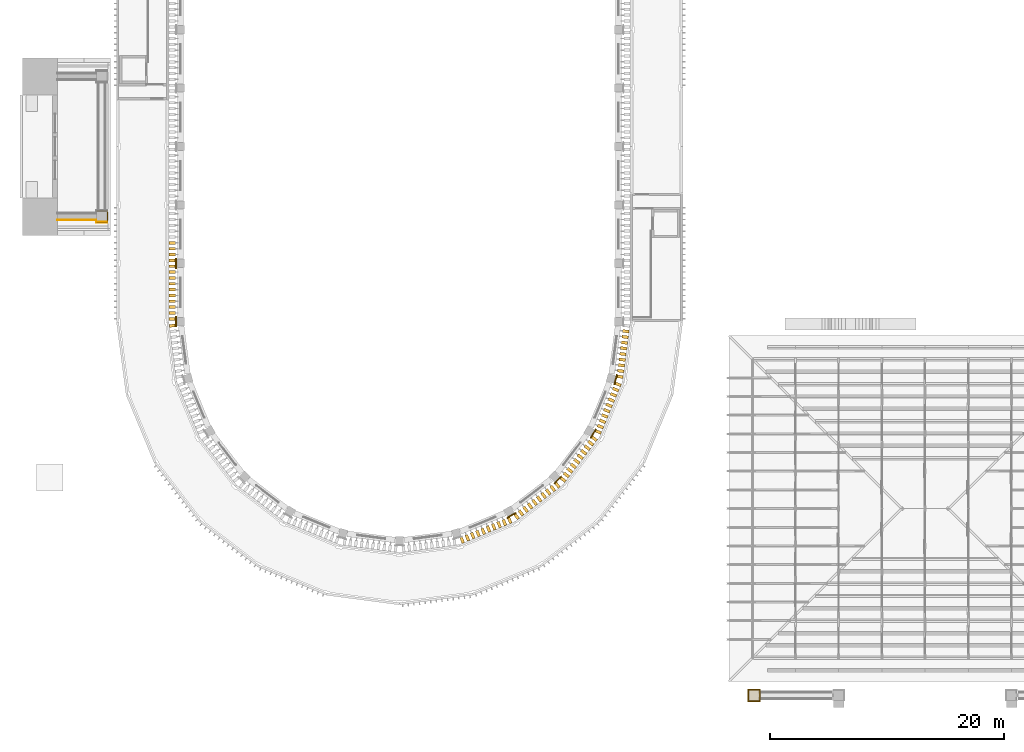
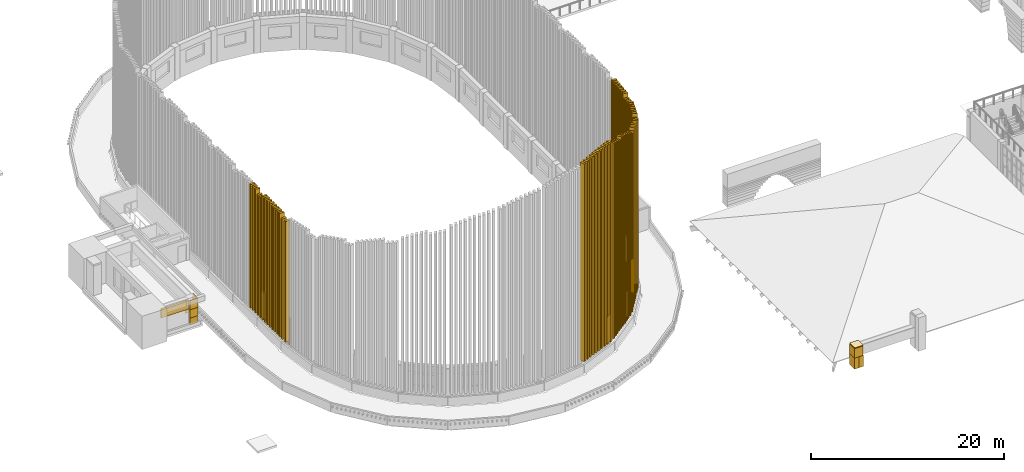
# One storey, part 53 of 68: 78 coverings.
"""IFC4 building model written with IfcOpenShell, lengths in metres."""

from ifc_helpers import new_model, si_unit, direction, frame, origin, origin_2d, place, context, subcontext, project, spatial, polyline, rectangle, outline, extrude, material, layer, layer_set, type_object, element, save


model = new_model("IFC4")

# Units and contexts
model_context = context("Model", 3, precision=1e-05, world=origin(), true_north=direction((0.0, 1.0)))
body_context = subcontext(model_context, "Body", "Model", "MODEL_VIEW")
ifc_project = project(units=[si_unit("LENGTHUNIT", "METRE"), si_unit("AREAUNIT", "SQUARE_METRE"), si_unit("VOLUMEUNIT", "CUBIC_METRE"), si_unit("PLANEANGLEUNIT", "RADIAN"), si_unit("MASSUNIT", "GRAM", prefix="KILO")], contexts=[model_context])

# Site, building, storey
site_placement = place(None, origin())
site = spatial("IfcSite", under=ifc_project, at=site_placement, CompositionType="ELEMENT")
building_placement = place(site_placement, origin())
building = spatial("IfcBuilding", under=site, at=building_placement, Name="Wasatch Bagh Community Centre", CompositionType="ELEMENT")
storey_placement = place(building_placement, frame((0.0, 0.0, 8.39990234375)))
storey = spatial("IfcBuildingStorey", under=building, at=storey_placement, Name="L02", CompositionType="ELEMENT", Elevation=8.39990234375)

# Coverings
ifc_material_1 = material(Name="Cast stone cladding", Category="masonry")
ifc_layer_1 = layer(ifc_material_1, 0.080078125)
ifc_layer_set_1 = layer_set([ifc_layer_1], Name="Cast stone cladding")
covering_type_1 = type_object("IfcCoveringType", Name="CL-B7 beam facing", PredefinedType="CLADDING", material=ifc_layer_set_1)
covering_1_placement = place(storey_placement, frame((0.0, 0.0, 2.150146484375)))
element("IfcCovering", 1, at=covering_1_placement, inside=storey, type_object=covering_type_1, Name="Beam facing", PredefinedType="CLADDING", context=body_context, shape_type="SweptSolid", body=[
    extrude(outline(polyline([(6.699951171875, 43.75), (10.050048828125, 43.75), (10.050048828125, 43.669921875), (6.699951171875, 43.669921875), (6.699951171875, 43.75)])), origin(), (0.0, 0.0, 1.0), 1.199951171875),
])
ifc_layer_2 = layer(ifc_material_1, 0.080078125)
ifc_layer_set_2 = layer_set([ifc_layer_2], Name="Cast stone cladding")
covering_type_2 = type_object("IfcCoveringType", Name="CL-C1 column facing", PredefinedType="CLADDING", material=ifc_layer_set_2)
covering_2_placement = place(storey_placement, origin())
element("IfcCovering", 2, at=covering_2_placement, inside=storey, type_object=covering_type_2, Name="Column facing", PredefinedType="CLADDING", context=body_context, shape_type="SweptSolid", body=[
    extrude(outline(polyline([(66.35009765625, 3.530029296875), (66.35009765625, 3.449951171875), (65.89990234375, 3.449951171875), (65.89990234375, 2.550048828125), (66.35009765625, 2.550048828125), (66.35009765625, 2.469970703125), (65.820068359375, 2.469970703125), (65.820068359375, 3.530029296875), (66.35009765625, 3.530029296875)])), origin(), (0.0, 0.0, 1.0), 1.400146484375),
])
covering_3_placement = place(storey_placement, origin())
element("IfcCovering", 3, at=covering_3_placement, inside=storey, type_object=covering_type_2, Name="Column facing", PredefinedType="CLADDING", context=body_context, shape_type="SweptSolid", body=[
    extrude(outline(polyline([(66.8798828125, 3.530029296875), (66.8798828125, 2.469970703125), (66.35009765625, 2.469970703125), (66.35009765625, 2.550048828125), (66.800048828125, 2.550048828125), (66.800048828125, 3.449951171875), (66.35009765625, 3.449951171875), (66.35009765625, 3.530029296875), (66.8798828125, 3.530029296875)])), origin(), (0.0, 0.0, 1.0), 1.400146484375),
])
covering_4_placement = place(storey_placement, frame((0.0, 0.0, 1.400146484375)))
element("IfcCovering", 4, at=covering_4_placement, inside=storey, type_object=covering_type_2, Name="Column facing", PredefinedType="CLADDING", context=body_context, shape_type="SweptSolid", body=[
    extrude(outline(polyline([(65.820068359375, 2.469970703125), (65.820068359375, 3.530029296875), (66.800048828125, 3.530029296875), (66.800048828125, 3.449951171875), (65.89990234375, 3.449951171875), (65.89990234375, 2.550048828125), (66.800048828125, 2.550048828125), (66.800048828125, 2.469970703125), (65.820068359375, 2.469970703125)])), origin(), (0.0, 0.0, 1.0), 1.199951171875),
])
covering_5_placement = place(storey_placement, frame((0.0, 0.0, 2.60009765625)))
element("IfcCovering", 5, at=covering_5_placement, inside=storey, type_object=covering_type_2, Name="Column facing", PredefinedType="CLADDING", context=body_context, shape_type="SweptSolid", body=[
    extrude(outline(polyline([(66.800048828125, 2.469970703125), (65.89990234375, 2.469970703125), (65.89990234375, 2.550048828125), (65.820068359375, 2.550048828125), (65.820068359375, 3.449951171875), (65.89990234375, 3.449951171875), (65.89990234375, 3.530029296875), (66.800048828125, 3.530029296875), (66.800048828125, 3.449951171875), (66.8798828125, 3.449951171875), (66.8798828125, 2.550048828125), (66.800048828125, 2.550048828125), (66.800048828125, 2.469970703125)])), origin(), (0.0, 0.0, 1.0), 0.080078125),
])
covering_6_placement = place(storey_placement, frame((0.0, 0.0, 0.25)))
element("IfcCovering", 6, at=covering_6_placement, inside=storey, type_object=covering_type_2, Name="Column facing", PredefinedType="CLADDING", context=body_context, shape_type="SweptSolid", body=[
    extrude(outline(polyline([(10.949951171875, 43.550048828125), (10.949951171875, 43.469970703125), (10.050048828125, 43.469970703125), (10.050048828125, 43.550048828125), (10.949951171875, 43.550048828125)])), origin(), (0.0, 0.0, 1.0), 0.85009765625),
])
covering_7_placement = place(storey_placement, frame((0.0, 0.0, 1.10009765625)))
element("IfcCovering", 7, at=covering_7_placement, inside=storey, type_object=covering_type_2, Name="Column facing", PredefinedType="CLADDING", context=body_context, shape_type="SweptSolid", body=[
    extrude(outline(polyline([(11.030029296875, 43.469970703125), (10.050048828125, 43.469970703125), (10.050048828125, 43.550048828125), (10.949951171875, 43.550048828125), (10.949951171875, 44.449951171875), (10.050048828125, 44.449951171875), (10.050048828125, 44.530029296875), (11.030029296875, 44.530029296875), (11.030029296875, 43.469970703125)])), origin(), (0.0, 0.0, 1.0), 1.050048828125),
])
covering_8_placement = place(storey_placement, frame((0.0, 0.0, 2.150146484375)))
element("IfcCovering", 8, at=covering_8_placement, inside=storey, type_object=covering_type_2, Name="Column facing", PredefinedType="CLADDING", context=body_context, shape_type="SweptSolid", body=[
    extrude(outline(polyline([(10.949951171875, 43.550048828125), (10.949951171875, 44.449951171875), (11.030029296875, 44.449951171875), (11.030029296875, 43.469970703125), (10.050048828125, 43.469970703125), (10.050048828125, 43.550048828125), (10.949951171875, 43.550048828125)])), origin(), (0.0, 0.0, 1.0), 1.199951171875),
])
ifc_material_2 = material(Name="White precast concrete C40/50", Category="concrete")
ifc_layer_3 = layer(ifc_material_2, 0.10009765625)
ifc_layer_set_3 = layer_set([ifc_layer_3], Name="White precast concrete C40/50")
covering_type_3 = type_object("IfcCoveringType", Name="MH column casing", PredefinedType="CLADDING", material=ifc_layer_set_3)
for number, where, z_axis, x_axis, name in (
    (9, (16.85009765625, 35.0, 0.800048828125), (0.0, 0.0, 1.0), (0.0, -1.0, 0.0), "Column casing W1 L02"),
    (10, (16.85009765625, 40.0, 0.800048828125), (0.0, 0.0, 1.0), (0.0, -1.0, 0.0), "Column casing W2 L02"),
    (11, (45.574951171875, 18.41552734375, 0.800048828125), (0.0, 0.0, 1.0), (0.866025403784, 0.5, 0.0), "Column casing S8 L02"),
    (12, (49.541015625, 21.458984375, 0.800048828125), (0.0, 0.0, 1.0), (0.707106781187, 0.707106781187, 0.0), "Column casing S9 L02"),
    (13, (52.58447265625, 25.425048828125, 0.800048828125), (0.0, 0.0, 1.0), (0.5, 0.866025403784, 0.0), "Column casing S10 L02"),
    (14, (54.49755859375, 30.043701171875, 0.800048828125), (0.0, 0.0, 1.0), (0.258819045103, 0.965925826289, 0.0), "Column casing S11 L02"),
):
    element("IfcCovering", number, at=place(storey_placement, frame(where, z_axis=z_axis, x_axis=x_axis)), inside=storey, type_object=covering_type_3, Name=name, PredefinedType="CLADDING", context=body_context, shape_type="SweptSolid", body=[
        extrude(rectangle(XDim=0.89990234375, YDim=0.10009765625, at=origin_2d()), origin(), (0.0, 0.0, 1.0), 3.39990234375),
    ])
ifc_layer_4 = layer(ifc_material_2, 0.25)
ifc_layer_set_4 = layer_set([ifc_layer_4], Name="White precast concrete C40/50")
covering_type_4 = type_object("IfcCoveringType", Name="MH vertical fin", PredefinedType="CLADDING", material=ifc_layer_set_4)
covering_9_placement = place(storey_placement, frame((16.563232421875, 34.662841796875, 1.300048828125), z_axis=(0.0, 0.0, 1.0), x_axis=(0.13052619222, -0.991444861374, 0.0)))
element("IfcCovering", 15, at=covering_9_placement, inside=storey, type_object=covering_type_4, Name="Fin 1.1", PredefinedType="CLADDING", context=body_context, shape_type="SweptSolid", body=[
    extrude(rectangle(XDim=0.25, YDim=0.550048828125, at=origin_2d()), origin(), (0.0, 0.0, 1.0), 15.23974609375),
])
covering_10_placement = place(storey_placement, frame((41.3564453125, 16.312744140625, 1.300048828125), z_axis=(0.0, 0.0, 1.0), x_axis=(0.923879532511, 0.382683432365, 0.0)))
element("IfcCovering", 16, at=covering_10_placement, inside=storey, type_object=covering_type_4, Name="Fin 8.1", PredefinedType="CLADDING", context=body_context, shape_type="SweptSolid", body=[
    extrude(rectangle(XDim=0.25, YDim=0.550048828125, at=origin_2d()), origin(), (0.0, 0.0, 1.0), 24.97802734375),
])
covering_11_placement = place(storey_placement, frame((41.80859375, 16.5, 1.300048828125), z_axis=(0.0, 0.0, 1.0), x_axis=(0.923879532511, 0.382683432365, 0.0)))
element("IfcCovering", 17, at=covering_11_placement, inside=storey, type_object=covering_type_4, Name="Fin 8.2", PredefinedType="CLADDING", context=body_context, shape_type="SweptSolid", body=[
    extrude(rectangle(XDim=0.25, YDim=0.550048828125, at=origin_2d()), origin(), (0.0, 0.0, 1.0), 25.01318359375),
])
covering_12_placement = place(storey_placement, frame((42.2607421875, 16.687255859375, 1.300048828125), z_axis=(0.0, 0.0, 1.0), x_axis=(0.923879532511, 0.382683432365, 0.0)))
element("IfcCovering", 18, at=covering_12_placement, inside=storey, type_object=covering_type_4, Name="Fin 8.3", PredefinedType="CLADDING", context=body_context, shape_type="SweptSolid", body=[
    extrude(rectangle(XDim=0.25, YDim=0.550048828125, at=origin_2d()), origin(), (0.0, 0.0, 1.0), 25.04833984375),
])
covering_13_placement = place(storey_placement, frame((42.713134765625, 16.874755859375, 1.300048828125), z_axis=(0.0, 0.0, 1.0), x_axis=(0.923879532511, 0.382683432365, 0.0)))
element("IfcCovering", 19, at=covering_13_placement, inside=storey, type_object=covering_type_4, Name="Fin 8.4", PredefinedType="CLADDING", context=body_context, shape_type="SweptSolid", body=[
    extrude(rectangle(XDim=0.25, YDim=0.550048828125, at=origin_2d()), origin(), (0.0, 0.0, 1.0), 25.08349609375),
])
covering_14_placement = place(storey_placement, frame((43.165283203125, 17.06201171875, 1.300048828125), z_axis=(0.0, 0.0, 1.0), x_axis=(0.923879532511, 0.382683432365, 0.0)))
element("IfcCovering", 20, at=covering_14_placement, inside=storey, type_object=covering_type_4, Name="Fin 8.5", PredefinedType="CLADDING", context=body_context, shape_type="SweptSolid", body=[
    extrude(rectangle(XDim=0.25, YDim=0.550048828125, at=origin_2d()), origin(), (0.0, 0.0, 1.0), 25.11865234375),
])
covering_15_placement = place(storey_placement, frame((43.617431640625, 17.249267578125, 1.30029296875), z_axis=(0.0, 0.0, 1.0), x_axis=(0.923879532511, 0.382683432365, 0.0)))
element("IfcCovering", 21, at=covering_15_placement, inside=storey, type_object=covering_type_4, Name="Fin 8.6", PredefinedType="CLADDING", context=body_context, shape_type="SweptSolid", body=[
    extrude(rectangle(XDim=0.25, YDim=0.550048828125, at=origin_2d()), origin(), (0.0, 0.0, 1.0), 25.153564453125),
])
covering_16_placement = place(storey_placement, frame((44.069580078125, 17.4365234375, 1.30029296875), z_axis=(0.0, 0.0, 1.0), x_axis=(0.923879532511, 0.382683432365, 0.0)))
element("IfcCovering", 22, at=covering_16_placement, inside=storey, type_object=covering_type_4, Name="Fin 8.7", PredefinedType="CLADDING", context=body_context, shape_type="SweptSolid", body=[
    extrude(rectangle(XDim=0.25, YDim=0.550048828125, at=origin_2d()), origin(), (0.0, 0.0, 1.0), 25.183349609375),
])
covering_17_placement = place(storey_placement, frame((44.52197265625, 17.6240234375, 1.30029296875), z_axis=(0.0, 0.0, 1.0), x_axis=(0.923879532511, 0.382683432365, 0.0)))
element("IfcCovering", 23, at=covering_17_placement, inside=storey, type_object=covering_type_4, Name="Fin 8.8", PredefinedType="CLADDING", context=body_context, shape_type="SweptSolid", body=[
    extrude(rectangle(XDim=0.25, YDim=0.550048828125, at=origin_2d()), origin(), (0.0, 0.0, 1.0), 25.195068359375),
])
covering_18_placement = place(storey_placement, frame((44.97412109375, 17.811279296875, 1.30029296875), z_axis=(0.0, 0.0, 1.0), x_axis=(0.923879532511, 0.382683432365, 0.0)))
element("IfcCovering", 24, at=covering_18_placement, inside=storey, type_object=covering_type_4, Name="Fin 8.9", PredefinedType="CLADDING", context=body_context, shape_type="SweptSolid", body=[
    extrude(rectangle(XDim=0.25, YDim=0.550048828125, at=origin_2d()), origin(), (0.0, 0.0, 1.0), 25.206787109375),
])
covering_19_placement = place(storey_placement, frame((45.42626953125, 17.99853515625, 1.2998046875), z_axis=(0.0, 0.0, 1.0), x_axis=(0.923879532511, 0.382683432365, 0.0)))
element("IfcCovering", 25, at=covering_19_placement, inside=storey, type_object=covering_type_4, Name="Fin 8.10", PredefinedType="CLADDING", context=body_context, shape_type="SweptSolid", body=[
    extrude(rectangle(XDim=0.25, YDim=0.550048828125, at=origin_2d()), origin(), (0.0, 0.0, 1.0), 25.218505859375),
])
covering_20_placement = place(storey_placement, frame((46.010498046875, 18.3359375, 1.30029296875), z_axis=(0.0, 0.0, 1.0), x_axis=(0.793353340291, 0.608761429009, 0.0)))
element("IfcCovering", 26, at=covering_20_placement, inside=storey, type_object=covering_type_4, Name="Fin 9.1", PredefinedType="CLADDING", context=body_context, shape_type="SweptSolid", body=[
    extrude(rectangle(XDim=0.25, YDim=0.550048828125, at=origin_2d()), origin(), (0.0, 0.0, 1.0), 24.751708984375),
])
covering_21_placement = place(storey_placement, frame((46.39892578125, 18.6337890625, 1.30029296875), z_axis=(0.0, 0.0, 1.0), x_axis=(0.793353340291, 0.608761429009, 0.0)))
element("IfcCovering", 27, at=covering_21_placement, inside=storey, type_object=covering_type_4, Name="Fin 9.2", PredefinedType="CLADDING", context=body_context, shape_type="SweptSolid", body=[
    extrude(rectangle(XDim=0.25, YDim=0.550048828125, at=origin_2d()), origin(), (0.0, 0.0, 1.0), 24.527587890625),
])
covering_22_placement = place(storey_placement, frame((46.787109375, 18.931884765625, 1.300048828125), z_axis=(0.0, 0.0, 1.0), x_axis=(0.793353340291, 0.608761429009, 0.0)))
element("IfcCovering", 28, at=covering_22_placement, inside=storey, type_object=covering_type_4, Name="Fin 9.3", PredefinedType="CLADDING", context=body_context, shape_type="SweptSolid", body=[
    extrude(rectangle(XDim=0.25, YDim=0.550048828125, at=origin_2d()), origin(), (0.0, 0.0, 1.0), 24.30322265625),
])
covering_23_placement = place(storey_placement, frame((47.175537109375, 19.229736328125, 1.300048828125), z_axis=(0.0, 0.0, 1.0), x_axis=(0.793353340291, 0.608761429009, 0.0)))
element("IfcCovering", 29, at=covering_23_placement, inside=storey, type_object=covering_type_4, Name="Fin 9.4", PredefinedType="CLADDING", context=body_context, shape_type="SweptSolid", body=[
    extrude(rectangle(XDim=0.25, YDim=0.550048828125, at=origin_2d()), origin(), (0.0, 0.0, 1.0), 24.0791015625),
])
covering_24_placement = place(storey_placement, frame((47.563720703125, 19.52783203125, 1.30029296875), z_axis=(0.0, 0.0, 1.0), x_axis=(0.793353340291, 0.608761429009, 0.0)))
element("IfcCovering", 30, at=covering_24_placement, inside=storey, type_object=covering_type_4, Name="Fin 9.5", PredefinedType="CLADDING", context=body_context, shape_type="SweptSolid", body=[
    extrude(rectangle(XDim=0.25, YDim=0.550048828125, at=origin_2d()), origin(), (0.0, 0.0, 1.0), 24.260498046875),
])
covering_25_placement = place(storey_placement, frame((47.9521484375, 19.82568359375, 1.30029296875), z_axis=(0.0, 0.0, 1.0), x_axis=(0.793353340291, 0.608761429009, 0.0)))
element("IfcCovering", 31, at=covering_25_placement, inside=storey, type_object=covering_type_4, Name="Fin 9.6", PredefinedType="CLADDING", context=body_context, shape_type="SweptSolid", body=[
    extrude(rectangle(XDim=0.25, YDim=0.550048828125, at=origin_2d()), origin(), (0.0, 0.0, 1.0), 24.036376953125),
])
covering_26_placement = place(storey_placement, frame((48.340576171875, 20.123779296875, 1.300048828125), z_axis=(0.0, 0.0, 1.0), x_axis=(0.793353340291, 0.608761429009, 0.0)))
element("IfcCovering", 32, at=covering_26_placement, inside=storey, type_object=covering_type_4, Name="Fin 9.7", PredefinedType="CLADDING", context=body_context, shape_type="SweptSolid", body=[
    extrude(rectangle(XDim=0.25, YDim=0.550048828125, at=origin_2d()), origin(), (0.0, 0.0, 1.0), 23.81201171875),
])
covering_27_placement = place(storey_placement, frame((48.728759765625, 20.421630859375, 1.300048828125), z_axis=(0.0, 0.0, 1.0), x_axis=(0.793353340291, 0.608761429009, 0.0)))
element("IfcCovering", 33, at=covering_27_placement, inside=storey, type_object=covering_type_4, Name="Fin 9.8", PredefinedType="CLADDING", context=body_context, shape_type="SweptSolid", body=[
    extrude(rectangle(XDim=0.25, YDim=0.550048828125, at=origin_2d()), origin(), (0.0, 0.0, 1.0), 23.587890625),
])
covering_28_placement = place(storey_placement, frame((49.1171875, 20.7197265625, 1.300048828125), z_axis=(0.0, 0.0, 1.0), x_axis=(0.793353340291, 0.608761429009, 0.0)))
element("IfcCovering", 34, at=covering_28_placement, inside=storey, type_object=covering_type_4, Name="Fin 9.9", PredefinedType="CLADDING", context=body_context, shape_type="SweptSolid", body=[
    extrude(rectangle(XDim=0.25, YDim=0.550048828125, at=origin_2d()), origin(), (0.0, 0.0, 1.0), 23.36376953125),
])
covering_29_placement = place(storey_placement, frame((49.50537109375, 21.017578125, 1.300048828125), z_axis=(0.0, 0.0, 1.0), x_axis=(0.793353340291, 0.608761429009, 0.0)))
element("IfcCovering", 35, at=covering_29_placement, inside=storey, type_object=covering_type_4, Name="Fin 9.10", PredefinedType="CLADDING", context=body_context, shape_type="SweptSolid", body=[
    extrude(rectangle(XDim=0.25, YDim=0.550048828125, at=origin_2d()), origin(), (0.0, 0.0, 1.0), 23.1396484375),
])
covering_30_placement = place(storey_placement, frame((49.982421875, 21.49462890625, 1.300048828125), z_axis=(0.0, 0.0, 1.0), x_axis=(0.608761429009, 0.793353340291, 0.0)))
element("IfcCovering", 36, at=covering_30_placement, inside=storey, type_object=covering_type_4, Name="Fin 10.1", PredefinedType="CLADDING", context=body_context, shape_type="SweptSolid", body=[
    extrude(rectangle(XDim=0.25, YDim=0.550048828125, at=origin_2d()), origin(), (0.0, 0.0, 1.0), 22.45849609375),
])
covering_31_placement = place(storey_placement, frame((50.2802734375, 21.8828125, 1.300048828125), z_axis=(0.0, 0.0, 1.0), x_axis=(0.608761429009, 0.793353340291, 0.0)))
element("IfcCovering", 37, at=covering_31_placement, inside=storey, type_object=covering_type_4, Name="Fin 10.2", PredefinedType="CLADDING", context=body_context, shape_type="SweptSolid", body=[
    extrude(rectangle(XDim=0.25, YDim=0.550048828125, at=origin_2d()), origin(), (0.0, 0.0, 1.0), 22.28662109375),
])
covering_32_placement = place(storey_placement, frame((50.578369140625, 22.271240234375, 1.30029296875), z_axis=(0.0, 0.0, 1.0), x_axis=(0.608761429009, 0.793353340291, 0.0)))
element("IfcCovering", 38, at=covering_32_placement, inside=storey, type_object=covering_type_4, Name="Fin 10.3", PredefinedType="CLADDING", context=body_context, shape_type="SweptSolid", body=[
    extrude(rectangle(XDim=0.25, YDim=0.550048828125, at=origin_2d()), origin(), (0.0, 0.0, 1.0), 22.114501953125),
])
covering_33_placement = place(storey_placement, frame((50.876220703125, 22.659423828125, 1.300048828125), z_axis=(0.0, 0.0, 1.0), x_axis=(0.608761429009, 0.793353340291, 0.0)))
element("IfcCovering", 39, at=covering_33_placement, inside=storey, type_object=covering_type_4, Name="Fin 10.4", PredefinedType="CLADDING", context=body_context, shape_type="SweptSolid", body=[
    extrude(rectangle(XDim=0.25, YDim=0.550048828125, at=origin_2d()), origin(), (0.0, 0.0, 1.0), 22.34814453125),
])
covering_34_placement = place(storey_placement, frame((51.17431640625, 23.0478515625, 1.30029296875), z_axis=(0.0, 0.0, 1.0), x_axis=(0.608761429009, 0.793353340291, 0.0)))
element("IfcCovering", 40, at=covering_34_placement, inside=storey, type_object=covering_type_4, Name="Fin 10.5", PredefinedType="CLADDING", context=body_context, shape_type="SweptSolid", body=[
    extrude(rectangle(XDim=0.25, YDim=0.550048828125, at=origin_2d()), origin(), (0.0, 0.0, 1.0), 22.176025390625),
])
covering_35_placement = place(storey_placement, frame((51.47216796875, 23.436279296875, 1.300048828125), z_axis=(0.0, 0.0, 1.0), x_axis=(0.608761429009, 0.793353340291, 0.0)))
element("IfcCovering", 41, at=covering_35_placement, inside=storey, type_object=covering_type_4, Name="Fin 10.6", PredefinedType="CLADDING", context=body_context, shape_type="SweptSolid", body=[
    extrude(rectangle(XDim=0.25, YDim=0.550048828125, at=origin_2d()), origin(), (0.0, 0.0, 1.0), 22.00390625),
])
covering_36_placement = place(storey_placement, frame((51.770263671875, 23.824462890625, 1.300048828125), z_axis=(0.0, 0.0, 1.0), x_axis=(0.608761429009, 0.793353340291, 0.0)))
element("IfcCovering", 42, at=covering_36_placement, inside=storey, type_object=covering_type_4, Name="Fin 10.7", PredefinedType="CLADDING", context=body_context, shape_type="SweptSolid", body=[
    extrude(rectangle(XDim=0.25, YDim=0.550048828125, at=origin_2d()), origin(), (0.0, 0.0, 1.0), 21.83203125),
])
covering_37_placement = place(storey_placement, frame((52.068115234375, 24.212890625, 1.30029296875), z_axis=(0.0, 0.0, 1.0), x_axis=(0.608761429009, 0.793353340291, 0.0)))
element("IfcCovering", 43, at=covering_37_placement, inside=storey, type_object=covering_type_4, Name="Fin 10.8", PredefinedType="CLADDING", context=body_context, shape_type="SweptSolid", body=[
    extrude(rectangle(XDim=0.25, YDim=0.550048828125, at=origin_2d()), origin(), (0.0, 0.0, 1.0), 21.659912109375),
])
covering_38_placement = place(storey_placement, frame((52.3662109375, 24.60107421875, 1.300048828125), z_axis=(0.0, 0.0, 1.0), x_axis=(0.608761429009, 0.793353340291, 0.0)))
element("IfcCovering", 44, at=covering_38_placement, inside=storey, type_object=covering_type_4, Name="Fin 10.9", PredefinedType="CLADDING", context=body_context, shape_type="SweptSolid", body=[
    extrude(rectangle(XDim=0.25, YDim=0.550048828125, at=origin_2d()), origin(), (0.0, 0.0, 1.0), 21.48779296875),
])
covering_39_placement = place(storey_placement, frame((52.6640625, 24.989501953125, 1.300048828125), z_axis=(0.0, 0.0, 1.0), x_axis=(0.608761429009, 0.793353340291, 0.0)))
element("IfcCovering", 45, at=covering_39_placement, inside=storey, type_object=covering_type_4, Name="Fin 10.10", PredefinedType="CLADDING", context=body_context, shape_type="SweptSolid", body=[
    extrude(rectangle(XDim=0.25, YDim=0.550048828125, at=origin_2d()), origin(), (0.0, 0.0, 1.0), 21.31591796875),
])
covering_40_placement = place(storey_placement, frame((53.00146484375, 25.57373046875, 1.30029296875), z_axis=(0.0, 0.0, 1.0), x_axis=(0.382683432365, 0.923879532511, 0.0)))
element("IfcCovering", 46, at=covering_40_placement, inside=storey, type_object=covering_type_4, Name="Fin 11.1", PredefinedType="CLADDING", context=body_context, shape_type="SweptSolid", body=[
    extrude(rectangle(XDim=0.25, YDim=0.550048828125, at=origin_2d()), origin(), (0.0, 0.0, 1.0), 20.715576171875),
])
covering_41_placement = place(storey_placement, frame((53.188720703125, 26.02587890625, 1.300048828125), z_axis=(0.0, 0.0, 1.0), x_axis=(0.382683432365, 0.923879532511, 0.0)))
element("IfcCovering", 47, at=covering_41_placement, inside=storey, type_object=covering_type_4, Name="Fin 11.2", PredefinedType="CLADDING", context=body_context, shape_type="SweptSolid", body=[
    extrude(rectangle(XDim=0.25, YDim=0.550048828125, at=origin_2d()), origin(), (0.0, 0.0, 1.0), 20.607421875),
])
covering_42_placement = place(storey_placement, frame((53.3759765625, 26.47802734375, 1.300048828125), z_axis=(0.0, 0.0, 1.0), x_axis=(0.382683432365, 0.923879532511, 0.0)))
element("IfcCovering", 48, at=covering_42_placement, inside=storey, type_object=covering_type_4, Name="Fin 11.3", PredefinedType="CLADDING", context=body_context, shape_type="SweptSolid", body=[
    extrude(rectangle(XDim=0.25, YDim=0.550048828125, at=origin_2d()), origin(), (0.0, 0.0, 1.0), 20.90478515625),
])
covering_43_placement = place(storey_placement, frame((53.5634765625, 26.930419921875, 1.30029296875), z_axis=(0.0, 0.0, 1.0), x_axis=(0.382683432365, 0.923879532511, 0.0)))
element("IfcCovering", 49, at=covering_43_placement, inside=storey, type_object=covering_type_4, Name="Fin 11.4", PredefinedType="CLADDING", context=body_context, shape_type="SweptSolid", body=[
    extrude(rectangle(XDim=0.25, YDim=0.550048828125, at=origin_2d()), origin(), (0.0, 0.0, 1.0), 20.796630859375),
])
covering_44_placement = place(storey_placement, frame((53.750732421875, 27.382568359375, 1.300048828125), z_axis=(0.0, 0.0, 1.0), x_axis=(0.382683432365, 0.923879532511, 0.0)))
element("IfcCovering", 50, at=covering_44_placement, inside=storey, type_object=covering_type_4, Name="Fin 11.5", PredefinedType="CLADDING", context=body_context, shape_type="SweptSolid", body=[
    extrude(rectangle(XDim=0.25, YDim=0.550048828125, at=origin_2d()), origin(), (0.0, 0.0, 1.0), 20.6884765625),
])
covering_45_placement = place(storey_placement, frame((53.93798828125, 27.834716796875, 1.30029296875), z_axis=(0.0, 0.0, 1.0), x_axis=(0.382683432365, 0.923879532511, 0.0)))
element("IfcCovering", 51, at=covering_45_placement, inside=storey, type_object=covering_type_4, Name="Fin 11.6", PredefinedType="CLADDING", context=body_context, shape_type="SweptSolid", body=[
    extrude(rectangle(XDim=0.25, YDim=0.550048828125, at=origin_2d()), origin(), (0.0, 0.0, 1.0), 20.580322265625),
])
covering_46_placement = place(storey_placement, frame((54.125244140625, 28.286865234375, 1.300048828125), z_axis=(0.0, 0.0, 1.0), x_axis=(0.382683432365, 0.923879532511, 0.0)))
element("IfcCovering", 52, at=covering_46_placement, inside=storey, type_object=covering_type_4, Name="Fin 11.7", PredefinedType="CLADDING", context=body_context, shape_type="SweptSolid", body=[
    extrude(rectangle(XDim=0.25, YDim=0.550048828125, at=origin_2d()), origin(), (0.0, 0.0, 1.0), 20.47216796875),
])
covering_47_placement = place(storey_placement, frame((54.312744140625, 28.7392578125, 1.30029296875), z_axis=(0.0, 0.0, 1.0), x_axis=(0.382683432365, 0.923879532511, 0.0)))
element("IfcCovering", 53, at=covering_47_placement, inside=storey, type_object=covering_type_4, Name="Fin 11.8", PredefinedType="CLADDING", context=body_context, shape_type="SweptSolid", body=[
    extrude(rectangle(XDim=0.25, YDim=0.550048828125, at=origin_2d()), origin(), (0.0, 0.0, 1.0), 20.364013671875),
])
covering_48_placement = place(storey_placement, frame((54.5, 29.19140625, 1.300048828125), z_axis=(0.0, 0.0, 1.0), x_axis=(0.382683432365, 0.923879532511, 0.0)))
element("IfcCovering", 54, at=covering_48_placement, inside=storey, type_object=covering_type_4, Name="Fin 11.9", PredefinedType="CLADDING", context=body_context, shape_type="SweptSolid", body=[
    extrude(rectangle(XDim=0.25, YDim=0.550048828125, at=origin_2d()), origin(), (0.0, 0.0, 1.0), 20.255859375),
])
covering_49_placement = place(storey_placement, frame((54.687255859375, 29.6435546875, 1.300048828125), z_axis=(0.0, 0.0, 1.0), x_axis=(0.382683432365, 0.923879532511, 0.0)))
element("IfcCovering", 55, at=covering_49_placement, inside=storey, type_object=covering_type_4, Name="Fin 11.10", PredefinedType="CLADDING", context=body_context, shape_type="SweptSolid", body=[
    extrude(rectangle(XDim=0.25, YDim=0.550048828125, at=origin_2d()), origin(), (0.0, 0.0, 1.0), 19.7421875),
])
covering_50_placement = place(storey_placement, frame((54.86181640625, 30.295166015625, 1.30029296875), z_axis=(0.0, 0.0, 1.0), x_axis=(0.13052619222, 0.991444861374, 0.0)))
element("IfcCovering", 56, at=covering_50_placement, inside=storey, type_object=covering_type_4, Name="Fin 12.1", PredefinedType="CLADDING", context=body_context, shape_type="SweptSolid", body=[
    extrude(rectangle(XDim=0.25, YDim=0.550048828125, at=origin_2d()), origin(), (0.0, 0.0, 1.0), 19.641357421875),
])
covering_51_placement = place(storey_placement, frame((54.92578125, 30.780517578125, 1.300048828125), z_axis=(0.0, 0.0, 1.0), x_axis=(0.13052619222, 0.991444861374, 0.0)))
element("IfcCovering", 57, at=covering_51_placement, inside=storey, type_object=covering_type_4, Name="Fin 12.2", PredefinedType="CLADDING", context=body_context, shape_type="SweptSolid", body=[
    extrude(rectangle(XDim=0.25, YDim=0.550048828125, at=origin_2d()), origin(), (0.0, 0.0, 1.0), 19.6044921875),
])
covering_52_placement = place(storey_placement, frame((54.98974609375, 31.265625, 1.300048828125), z_axis=(0.0, 0.0, 1.0), x_axis=(0.13052619222, 0.991444861374, 0.0)))
element("IfcCovering", 58, at=covering_52_placement, inside=storey, type_object=covering_type_4, Name="Fin 12.3", PredefinedType="CLADDING", context=body_context, shape_type="SweptSolid", body=[
    extrude(rectangle(XDim=0.25, YDim=0.550048828125, at=origin_2d()), origin(), (0.0, 0.0, 1.0), 19.97314453125),
])
covering_53_placement = place(storey_placement, frame((55.053466796875, 31.7509765625, 1.30029296875), z_axis=(0.0, 0.0, 1.0), x_axis=(0.13052619222, 0.991444861374, 0.0)))
element("IfcCovering", 59, at=covering_53_placement, inside=storey, type_object=covering_type_4, Name="Fin 12.4", PredefinedType="CLADDING", context=body_context, shape_type="SweptSolid", body=[
    extrude(rectangle(XDim=0.25, YDim=0.550048828125, at=origin_2d()), origin(), (0.0, 0.0, 1.0), 19.936279296875),
])
covering_54_placement = place(storey_placement, frame((55.117431640625, 32.236328125, 1.300048828125), z_axis=(0.0, 0.0, 1.0), x_axis=(0.13052619222, 0.991444861374, 0.0)))
element("IfcCovering", 60, at=covering_54_placement, inside=storey, type_object=covering_type_4, Name="Fin 12.5", PredefinedType="CLADDING", context=body_context, shape_type="SweptSolid", body=[
    extrude(rectangle(XDim=0.25, YDim=0.550048828125, at=origin_2d()), origin(), (0.0, 0.0, 1.0), 19.8994140625),
])
covering_55_placement = place(storey_placement, frame((55.181396484375, 32.7216796875, 1.30029296875), z_axis=(0.0, 0.0, 1.0), x_axis=(0.13052619222, 0.991444861374, 0.0)))
element("IfcCovering", 61, at=covering_55_placement, inside=storey, type_object=covering_type_4, Name="Fin 12.6", PredefinedType="CLADDING", context=body_context, shape_type="SweptSolid", body=[
    extrude(rectangle(XDim=0.25, YDim=0.550048828125, at=origin_2d()), origin(), (0.0, 0.0, 1.0), 19.862548828125),
])
covering_56_placement = place(storey_placement, frame((55.2451171875, 33.206787109375, 1.300048828125), z_axis=(0.0, 0.0, 1.0), x_axis=(0.13052619222, 0.991444861374, 0.0)))
element("IfcCovering", 62, at=covering_56_placement, inside=storey, type_object=covering_type_4, Name="Fin 12.7", PredefinedType="CLADDING", context=body_context, shape_type="SweptSolid", body=[
    extrude(rectangle(XDim=0.25, YDim=0.550048828125, at=origin_2d()), origin(), (0.0, 0.0, 1.0), 19.82568359375),
])
covering_57_placement = place(storey_placement, frame((55.30908203125, 33.692138671875, 1.30029296875), z_axis=(0.0, 0.0, 1.0), x_axis=(0.13052619222, 0.991444861374, 0.0)))
element("IfcCovering", 63, at=covering_57_placement, inside=storey, type_object=covering_type_4, Name="Fin 12.8", PredefinedType="CLADDING", context=body_context, shape_type="SweptSolid", body=[
    extrude(rectangle(XDim=0.25, YDim=0.550048828125, at=origin_2d()), origin(), (0.0, 0.0, 1.0), 19.788818359375),
])
covering_58_placement = place(storey_placement, frame((55.373046875, 34.177490234375, 1.300048828125), z_axis=(0.0, 0.0, 1.0), x_axis=(0.13052619222, 0.991444861374, 0.0)))
element("IfcCovering", 64, at=covering_58_placement, inside=storey, type_object=covering_type_4, Name="Fin 12.9", PredefinedType="CLADDING", context=body_context, shape_type="SweptSolid", body=[
    extrude(rectangle(XDim=0.25, YDim=0.550048828125, at=origin_2d()), origin(), (0.0, 0.0, 1.0), 19.751953125),
])
for number, where, z_axis, x_axis, name in (
    (65, (16.52490234375, 41.75, 1.30029296875), (0.0, 0.0, 1.0), (0.0, -1.0, 0.0), "Fin 35.7"),
    (66, (16.52490234375, 41.25, 1.30029296875), (0.0, 0.0, 1.0), (0.0, -1.0, 0.0), "Fin 35.8"),
    (67, (16.52490234375, 40.75, 1.30029296875), (0.0, 0.0, 1.0), (0.0, -1.0, 0.0), "Fin 35.9"),
):
    element("IfcCovering", number, at=place(storey_placement, frame(where, z_axis=z_axis, x_axis=x_axis)), inside=storey, type_object=covering_type_4, Name=name, PredefinedType="CLADDING", context=body_context, shape_type="SweptSolid", body=[
        extrude(rectangle(XDim=0.25, YDim=0.550048828125, at=origin_2d()), origin(), (0.0, 0.0, 1.0), 15.632080078125),
    ])
for number, where, z_axis, x_axis, name in (
    (68, (16.52490234375, 40.25, 1.300048828125), (0.0, 0.0, 1.0), (0.0, -1.0, 0.0), "Fin 35.10"),
    (69, (16.52490234375, 39.75, 1.300048828125), (0.0, 0.0, 1.0), (0.0, -1.0, 0.0), "Fin 36.1"),
):
    element("IfcCovering", number, at=place(storey_placement, frame(where, z_axis=z_axis, x_axis=x_axis)), inside=storey, type_object=covering_type_4, Name=name, PredefinedType="CLADDING", context=body_context, shape_type="SweptSolid", body=[
        extrude(rectangle(XDim=0.25, YDim=0.550048828125, at=origin_2d()), origin(), (0.0, 0.0, 1.0), 15.2138671875),
    ])
for number, where, z_axis, x_axis, name in (
    (70, (16.52490234375, 39.25, 1.30029296875), (0.0, 0.0, 1.0), (0.0, -1.0, 0.0), "Fin 36.2"),
    (71, (16.52490234375, 38.75, 1.30029296875), (0.0, 0.0, 1.0), (0.0, -1.0, 0.0), "Fin 36.3"),
    (72, (16.52490234375, 38.25, 1.30029296875), (0.0, 0.0, 1.0), (0.0, -1.0, 0.0), "Fin 36.4"),
    (73, (16.52490234375, 37.75, 1.30029296875), (0.0, 0.0, 1.0), (0.0, -1.0, 0.0), "Fin 36.5"),
    (74, (16.52490234375, 37.25, 1.30029296875), (0.0, 0.0, 1.0), (0.0, -1.0, 0.0), "Fin 36.6"),
    (75, (16.52490234375, 36.75, 1.30029296875), (0.0, 0.0, 1.0), (0.0, -1.0, 0.0), "Fin 36.7"),
    (76, (16.52490234375, 36.25, 1.30029296875), (0.0, 0.0, 1.0), (0.0, -1.0, 0.0), "Fin 36.8"),
    (77, (16.52490234375, 35.75, 1.30029296875), (0.0, 0.0, 1.0), (0.0, -1.0, 0.0), "Fin 36.9"),
):
    element("IfcCovering", number, at=place(storey_placement, frame(where, z_axis=z_axis, x_axis=x_axis)), inside=storey, type_object=covering_type_4, Name=name, PredefinedType="CLADDING", context=body_context, shape_type="SweptSolid", body=[
        extrude(rectangle(XDim=0.25, YDim=0.550048828125, at=origin_2d()), origin(), (0.0, 0.0, 1.0), 15.632080078125),
    ])
covering_59_placement = place(storey_placement, frame((16.52490234375, 35.25, 1.300048828125), z_axis=(0.0, 0.0, 1.0), x_axis=(0.0, -1.0, 0.0)))
element("IfcCovering", 78, at=covering_59_placement, inside=storey, type_object=covering_type_4, Name="Fin 36.10", PredefinedType="CLADDING", context=body_context, shape_type="SweptSolid", body=[
    extrude(rectangle(XDim=0.25, YDim=0.550048828125, at=origin_2d()), origin(), (0.0, 0.0, 1.0), 15.2138671875),
])

save(model, "model.ifc")
